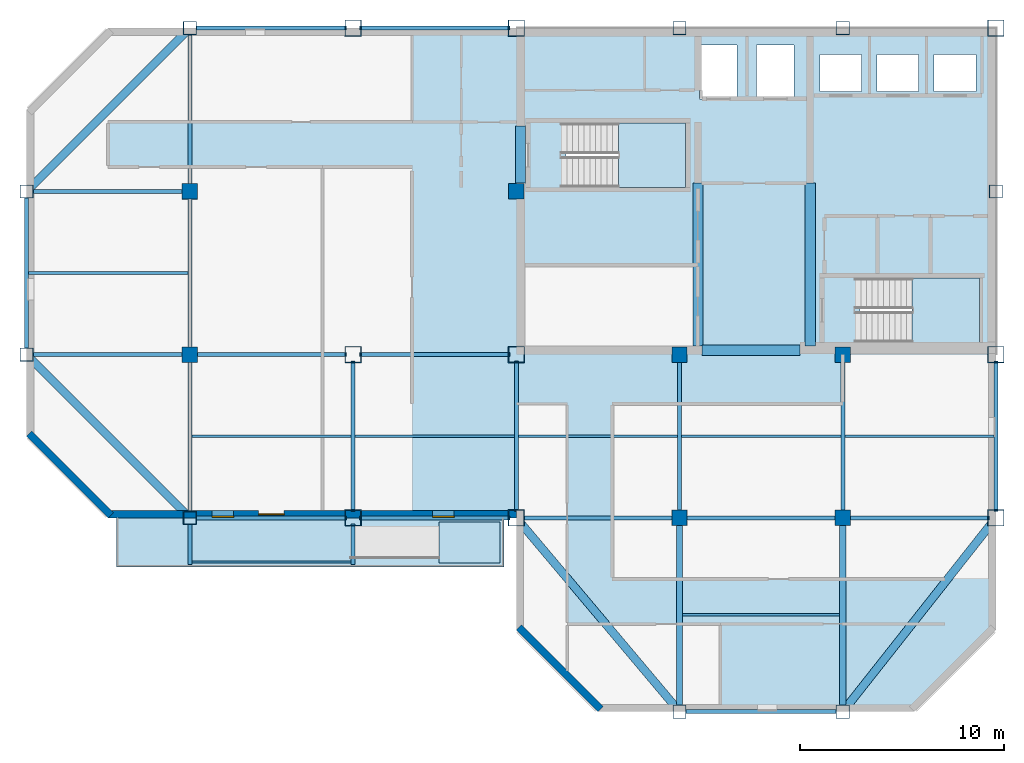
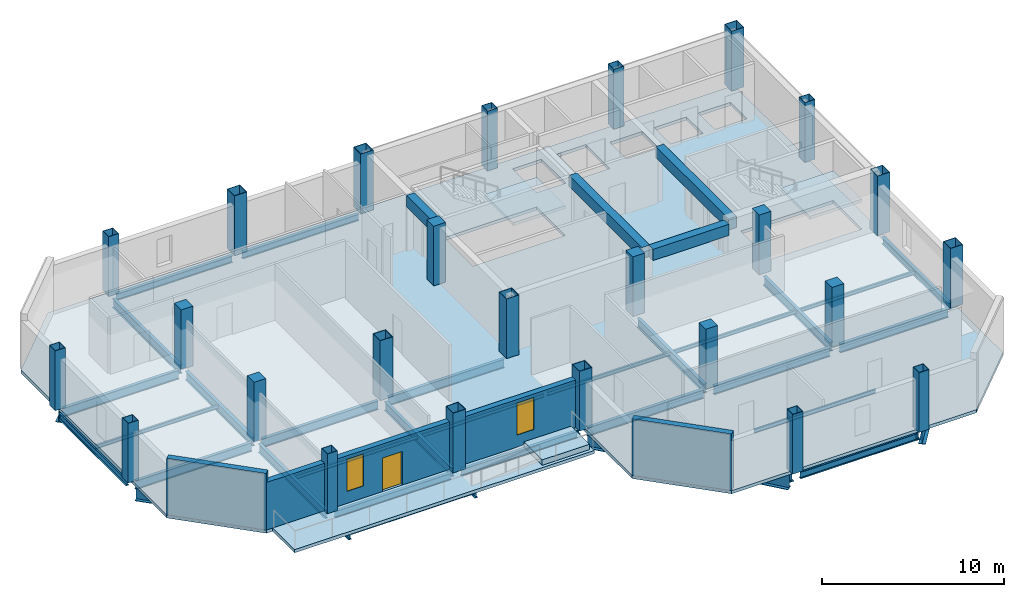
# One storey, part 1 of 7: 41 beams, 25 columns, 5 slabs, 3 walls, 2 windows, 1 door, 3 openings, 3 elements without a shape of their own.
"""IFC4 building model written with IfcOpenShell, lengths in metres."""

from ifc_helpers import new_model, si_unit, direction, frame, frame_2d, origin, origin_2d, place, context, subcontext, project, spatial, polyline, rectangle, hollow_rectangle, i_section, outline, extrude, material, layer, layer_set, material_profile, profile_set, type_object, element, fill, aggregate, save


model = new_model("IFC4")

# Units and contexts
model_context = context("Model", 3, precision=1e-05, world=origin(), true_north=direction((0.0, 1.0)))
body_context = subcontext(model_context, "Body", "Model", "MODEL_VIEW")
ifc_project = project(units=[si_unit("LENGTHUNIT", "METRE"), si_unit("AREAUNIT", "SQUARE_METRE"), si_unit("VOLUMEUNIT", "CUBIC_METRE"), si_unit("PLANEANGLEUNIT", "RADIAN"), si_unit("MASSUNIT", "GRAM", prefix="KILO")], contexts=[model_context])

# Site, building, storey
site_placement = place(None, origin())
site = spatial("IfcSite", under=ifc_project, at=site_placement, CompositionType="ELEMENT")
building_placement = place(site_placement, origin())
building = spatial("IfcBuilding", under=site, at=building_placement, Name="Qianrong Seaharbour Tower", CompositionType="ELEMENT")
storey_placement = place(building_placement, frame((0.0, 0.0, 323.199951171875)))
storey = spatial("IfcBuildingStorey", under=building, at=storey_placement, Name="L78", CompositionType="ELEMENT", Elevation=323.199951171875)

# Columns
ifc_material_1 = material(Name="Structural steel SN490B", Category="steel")
ifc_material_profile_1 = material_profile(ifc_material_1, hollow_rectangle(XDim=0.800048828125, YDim=0.800048828125, WallThickness=0.031982421875, at=origin_2d()), Name="BOX800x800x32")
ifc_profile_set_1 = profile_set([ifc_material_profile_1], Name="Structural steel SN490B")
column_type_1 = type_object("IfcColumnType", Name="COL-CFT-800", PredefinedType="COLUMN", material=ifc_profile_set_1)
for number, where, z_axis, x_axis, name in (
    (1, (32.5, 28.0, 0.0), (0.0, 0.0, 1.0), (1.0, 0.0, 0.0), "L78 Column MC-5 at G5/GE"),
    (2, (32.5, 36.0, 0.0), (0.0, 0.0, 1.0), (1.0, 0.0, 0.0), "L78 Column MC-5 at G5/GF"),
    (3, (32.5, 52.0, 0.0), (0.0, 0.0, 1.0), (1.0, 0.0, 0.0), "L78 Column MC-5 at G5/GH"),
    (4, (40.5, 28.0, 0.0), (0.0, 0.0, 1.0), (1.0, 0.0, 0.0), "L78 Column MC-5 at G6/GE"),
    (5, (40.5, 36.0, 0.0), (0.0, 0.0, 1.0), (1.0, 0.0, 0.0), "L78 Column MC-5 at G6/GF"),
    (6, (40.5, 52.0, 0.0), (0.0, 0.0, 1.0), (1.0, 0.0, 0.0), "L78 Column MC-5 at G6/GH"),
    (7, (64.0, 28.0, 0.0), (0.0, 0.0, 1.0), (1.0, 0.0, 0.0), "L78 Column MC-5 at G9/GE"),
    (8, (64.0, 36.0, 0.0), (0.0, 0.0, 1.0), (1.0, 0.0, 0.0), "L78 Column MC-5 at G9/GF"),
    (9, (64.0, 52.0, 0.0), (0.0, 0.0, 1.0), (1.0, 0.0, 0.0), "L78 Column MC-5 at G9/GH"),
):
    element("IfcColumn", number, at=place(storey_placement, frame(where, z_axis=z_axis, x_axis=x_axis)), inside=storey, type_object=column_type_1, Name=name, PredefinedType="COLUMN", context=body_context, shape_type="SweptSolid", body=[
        extrude(hollow_rectangle(XDim=0.800048828125, YDim=0.800048828125, WallThickness=0.031982421875, at=origin_2d()), origin(), (0.0, 0.0, 1.0), 4.0),
    ])
ifc_material_2 = material(Name="Concrete C50/60", Category="concrete")
ifc_material_profile_2 = material_profile(ifc_material_2, rectangle(XDim=0.75, YDim=0.75, at=origin_2d()), Name="RC750x750")
ifc_profile_set_2 = profile_set([ifc_material_profile_2], Name="Concrete C50/60")
column_type_2 = type_object("IfcColumnType", Name="COL-INT-RC750", PredefinedType="COLUMN", material=ifc_profile_set_2)
for number, where, z_axis, x_axis, name in (
    (10, (24.5, 36.0, 0.0), (0.0, 0.0, 1.0), (1.0, 0.0, 0.0), "L78 Column IC-4 at G4/GF"),
    (11, (24.5, 44.0, 0.0), (0.0, 0.0, 1.0), (1.0, 0.0, 0.0), "L78 Column IC-4 at G4/GG"),
    (12, (40.5, 44.0, 0.0), (0.0, 0.0, 1.0), (1.0, 0.0, 0.0), "L78 Column IC-4 at G6/GG"),
    (13, (48.5, 28.0, 0.0), (0.0, 0.0, 1.0), (1.0, 0.0, 0.0), "L78 Column IC-4 at G7/GE"),
    (14, (48.5, 36.0, 0.0), (0.0, 0.0, 1.0), (1.0, 0.0, 0.0), "L78 Column IC-4 at G7/GF"),
    (15, (56.5, 28.0, 0.0), (0.0, 0.0, 1.0), (1.0, 0.0, 0.0), "L78 Column IC-4 at G8/GE"),
    (16, (56.5, 36.0, 0.0), (0.0, 0.0, 1.0), (1.0, 0.0, 0.0), "L78 Column IC-4 at G8/GF"),
):
    element("IfcColumn", number, at=place(storey_placement, frame(where, z_axis=z_axis, x_axis=x_axis)), inside=storey, type_object=column_type_2, Name=name, PredefinedType="COLUMN", context=body_context, shape_type="SweptSolid", body=[
        extrude(rectangle(XDim=0.75, YDim=0.75, at=origin_2d()), origin(), (0.0, 0.0, 1.0), 4.0),
    ])
ifc_material_3 = material(Name="Structural steel SN400B", Category="steel")
ifc_material_profile_3 = material_profile(ifc_material_3, hollow_rectangle(XDim=0.64990234375, YDim=0.64990234375, WallThickness=0.028076171875, at=origin_2d()), Name="BOX650x650x28")
ifc_profile_set_3 = profile_set([ifc_material_profile_3], Name="Structural steel SN400B")
column_type_3 = type_object("IfcColumnType", Name="COL-PER-650", PredefinedType="COLUMN", material=ifc_profile_set_3)
for number, where, z_axis, x_axis, name in (
    (17, (16.5, 36.0, 0.0), (0.0, 0.0, 1.0), (1.0, 0.0, 0.0), "L78 Column PC-4 at G3/GF"),
    (18, (16.5, 44.0, 0.0), (0.0, 0.0, 1.0), (1.0, 0.0, 0.0), "L78 Column PC-4 at G3/GG"),
    (19, (24.5, 28.0, 0.0), (0.0, 0.0, 1.0), (1.0, 0.0, 0.0), "L78 Column PC-4 at G4/GE"),
    (20, (24.5, 52.0, 0.0), (0.0, 0.0, 1.0), (1.0, 0.0, 0.0), "L78 Column PC-4 at G4/GH"),
    (21, (48.5, 18.5, 0.0), (0.0, 0.0, 1.0), (1.0, 0.0, 0.0), "L78 Column PC-4 at G7/GD"),
    (22, (48.5, 52.0, 0.0), (0.0, 0.0, 1.0), (1.0, 0.0, 0.0), "L78 Column PC-4 at G7/GH"),
    (23, (56.5, 18.5, 0.0), (0.0, 0.0, 1.0), (1.0, 0.0, 0.0), "L78 Column PC-4 at G8/GD"),
    (24, (56.5, 52.0, 0.0), (0.0, 0.0, 1.0), (1.0, 0.0, 0.0), "L78 Column PC-4 at G8/GH"),
    (25, (64.0, 44.0, 0.0), (0.0, 0.0, 1.0), (1.0, 0.0, 0.0), "L78 Column PC-4 at G9/GG"),
):
    element("IfcColumn", number, at=place(storey_placement, frame(where, z_axis=z_axis, x_axis=x_axis)), inside=storey, type_object=column_type_3, Name=name, PredefinedType="COLUMN", context=body_context, shape_type="SweptSolid", body=[
        extrude(hollow_rectangle(XDim=0.64990234375, YDim=0.64990234375, WallThickness=0.028076171875, at=origin_2d()), origin(), (0.0, 0.0, 1.0), 4.0),
    ])

# Beams
ifc_material_profile_4 = material_profile(ifc_material_1, i_section(OverallWidth=0.199951171875, OverallDepth=0.60009765625, WebThickness=0.010986328125, FlangeThickness=0.01708984375, FilletRadius=0.02197265625, at=origin_2d()), Name="H600x200x11x17")
ifc_profile_set_4 = profile_set([ifc_material_profile_4], Name="Structural steel SN490B")
beam_type_1 = type_object("IfcBeamType", Name="BM-G-600", PredefinedType="BEAM", material=ifc_profile_set_4)
for number, where, z_axis, x_axis, name in (
    (26, (40.820068359375, 28.0, -0.514892578125), (1.0, 0.0, 0.0), (0.0, 1.0, 0.0), "L78 Primary Girder GE G6-G7"),
    (27, (48.820068359375, 28.0, -0.514892578125), (1.0, 0.0, 0.0), (0.0, 1.0, 0.0), "L78 Primary Girder GE G7-G8"),
):
    element("IfcBeam", number, at=place(storey_placement, frame(where, z_axis=z_axis, x_axis=x_axis)), inside=storey, type_object=beam_type_1, Name=name, PredefinedType="BEAM", context=body_context, shape_type="SweptSolid", body=[
        extrude(i_section(OverallWidth=0.199951171875, OverallDepth=0.60009765625, WebThickness=0.010986328125, FlangeThickness=0.01708984375, FilletRadius=0.02197265625, at=origin_2d()), origin(), (0.0, 0.0, 1.0), 7.35986328125),
    ])
beam_1_placement = place(storey_placement, frame((56.820068359375, 28.0, -0.514892578125), z_axis=(1.0, 0.0, 0.0), x_axis=(0.0, 1.0, 0.0)))
element("IfcBeam", 28, at=beam_1_placement, inside=storey, type_object=beam_type_1, Name="L78 Primary Girder GE G8-G9", PredefinedType="BEAM", context=body_context, shape_type="SweptSolid", body=[
    extrude(i_section(OverallWidth=0.199951171875, OverallDepth=0.60009765625, WebThickness=0.010986328125, FlangeThickness=0.01708984375, FilletRadius=0.02197265625, at=origin_2d()), origin(), (0.0, 0.0, 1.0), 6.85986328125),
])
for number, where, z_axis, x_axis, name in (
    (29, (16.820068359375, 36.0, -0.514892578125), (1.0, 0.0, 0.0), (0.0, 1.0, 0.0), "L78 Primary Girder GF G3-G4"),
    (30, (24.820068359375, 36.0, -0.514892578125), (1.0, 0.0, 0.0), (0.0, 1.0, 0.0), "L78 Primary Girder GF G4-G5"),
    (31, (32.820068359375, 36.0, -0.514892578125), (1.0, 0.0, 0.0), (0.0, 1.0, 0.0), "L78 Primary Girder GF G5-G6"),
    (32, (16.820068359375, 44.0, -0.514892578125), (1.0, 0.0, 0.0), (0.0, 1.0, 0.0), "L78 Primary Girder GG G3-G4"),
    (33, (24.5, 28.320068359375, -0.514892578125), (0.0, 1.0, 0.0), (-1.0, 0.0, 0.0), "L78 Primary Girder G4 GE-GF"),
    (34, (24.5, 36.320068359375, -0.514892578125), (0.0, 1.0, 0.0), (-1.0, 0.0, 0.0), "L78 Primary Girder G4 GF-GG"),
    (35, (24.5, 44.320068359375, -0.514892578125), (0.0, 1.0, 0.0), (-1.0, 0.0, 0.0), "L78 Primary Girder G4 GG-GH"),
    (36, (32.5, 28.320068359375, -0.514892578125), (0.0, 1.0, 0.0), (-1.0, 0.0, 0.0), "L78 Primary Girder G5 GE-GF"),
    (37, (40.5, 28.320068359375, -0.514892578125), (0.0, 1.0, 0.0), (-1.0, 0.0, 0.0), "L78 Primary Girder G6 GE-GF"),
    (38, (48.5, 28.320068359375, -0.514892578125), (0.0, 1.0, 0.0), (-1.0, 0.0, 0.0), "L78 Primary Girder G7 GE-GF"),
    (39, (56.5, 28.320068359375, -0.514892578125), (0.0, 1.0, 0.0), (-1.0, 0.0, 0.0), "L78 Primary Girder G8 GE-GF"),
):
    element("IfcBeam", number, at=place(storey_placement, frame(where, z_axis=z_axis, x_axis=x_axis)), inside=storey, type_object=beam_type_1, Name=name, PredefinedType="BEAM", context=body_context, shape_type="SweptSolid", body=[
        extrude(i_section(OverallWidth=0.199951171875, OverallDepth=0.60009765625, WebThickness=0.010986328125, FlangeThickness=0.01708984375, FilletRadius=0.02197265625, at=origin_2d()), origin(), (0.0, 0.0, 1.0), 7.35986328125),
    ])
ifc_material_profile_5 = material_profile(ifc_material_1, i_section(OverallWidth=0.300048828125, OverallDepth=0.800048828125, WebThickness=0.013916015625, FlangeThickness=0.02587890625, FilletRadius=0.028076171875, at=origin_2d()), Name="H800x300x14x26")
ifc_profile_set_5 = profile_set([ifc_material_profile_5], Name="Structural steel SN490B")
beam_type_2 = type_object("IfcBeamType", Name="BM-G-800", PredefinedType="BEAM", material=ifc_profile_set_5)
for number, where, z_axis, x_axis, name in (
    (40, (48.5, 18.820068359375, -0.614990234375), (0.0, 1.0, 0.0), (-1.0, 0.0, 0.0), "L78 Primary Girder G7 GD-GE"),
    (41, (56.5, 18.820068359375, -0.614990234375), (0.0, 1.0, 0.0), (-1.0, 0.0, 0.0), "L78 Primary Girder G8 GD-GE"),
):
    element("IfcBeam", number, at=place(storey_placement, frame(where, z_axis=z_axis, x_axis=x_axis)), inside=storey, type_object=beam_type_2, Name=name, PredefinedType="BEAM", context=body_context, shape_type="SweptSolid", body=[
        extrude(i_section(OverallWidth=0.300048828125, OverallDepth=0.800048828125, WebThickness=0.013916015625, FlangeThickness=0.02587890625, FilletRadius=0.028076171875, at=origin_2d()), origin(), (0.0, 0.0, 1.0), 8.85986328125),
    ])
ifc_material_profile_6 = material_profile(ifc_material_3, i_section(OverallWidth=0.125, OverallDepth=0.25, WebThickness=0.006103515625, FlangeThickness=0.009033203125, FilletRadius=0.011962890625, at=origin_2d()), Name="H250x125x6x9")
ifc_profile_set_6 = profile_set([ifc_material_profile_6], Name="Structural steel SN400B")
beam_type_3 = type_object("IfcBeamType", Name="BM-J-250", PredefinedType="JOIST", material=ifc_profile_set_6)
for number, where, z_axis, x_axis, name in (
    (42, (16.60009765625, 40.0, -0.33984375), (1.0, 0.0, 0.0), (0.0, 1.0, 0.0), "L78 Composite Floor Joist G3-G4/GF-GG"),
    (43, (24.60009765625, 32.0, -0.33984375), (1.0, 0.0, 0.0), (0.0, 1.0, 0.0), "L78 Composite Floor Joist G4-G5/GE-GF"),
    (44, (32.60009765625, 32.0, -0.33984375), (1.0, 0.0, 0.0), (0.0, 1.0, 0.0), "L78 Composite Floor Joist G5-G6/GE-GF"),
    (45, (40.60009765625, 32.0, -0.33984375), (1.0, 0.0, 0.0), (0.0, 1.0, 0.0), "L78 Composite Floor Joist G6-G7/GE-GF"),
):
    element("IfcBeam", number, at=place(storey_placement, frame(where, z_axis=z_axis, x_axis=x_axis)), inside=storey, type_object=beam_type_3, Name=name, PredefinedType="JOIST", context=body_context, shape_type="SweptSolid", body=[
        extrude(i_section(OverallWidth=0.125, OverallDepth=0.25, WebThickness=0.006103515625, FlangeThickness=0.009033203125, FilletRadius=0.011962890625, at=origin_2d()), origin(), (0.0, 0.0, 1.0), 7.7998046875),
    ])
beam_2_placement = place(storey_placement, frame((48.64990234375, 23.25, -0.33984375), z_axis=(1.0, 0.0, 0.0), x_axis=(0.0, 1.0, 0.0)))
element("IfcBeam", 46, at=beam_2_placement, inside=storey, type_object=beam_type_3, Name="L78 Composite Floor Joist G7-G8/GD-GE", PredefinedType="JOIST", context=body_context, shape_type="SweptSolid", body=[
    extrude(i_section(OverallWidth=0.125, OverallDepth=0.25, WebThickness=0.006103515625, FlangeThickness=0.009033203125, FilletRadius=0.011962890625, at=origin_2d()), origin(), (0.0, 0.0, 1.0), 7.7001953125),
])
beam_3_placement = place(storey_placement, frame((48.60009765625, 32.0, -0.33984375), z_axis=(1.0, 0.0, 0.0), x_axis=(0.0, 1.0, 0.0)))
element("IfcBeam", 47, at=beam_3_placement, inside=storey, type_object=beam_type_3, Name="L78 Composite Floor Joist G7-G8/GE-GF", PredefinedType="JOIST", context=body_context, shape_type="SweptSolid", body=[
    extrude(i_section(OverallWidth=0.125, OverallDepth=0.25, WebThickness=0.006103515625, FlangeThickness=0.009033203125, FilletRadius=0.011962890625, at=origin_2d()), origin(), (0.0, 0.0, 1.0), 7.7998046875),
])
beam_4_placement = place(storey_placement, frame((56.60009765625, 32.0, -0.33984375), z_axis=(1.0, 0.0, 0.0), x_axis=(0.0, 1.0, 0.0)))
element("IfcBeam", 48, at=beam_4_placement, inside=storey, type_object=beam_type_3, Name="L78 Composite Floor Joist G8-G9/GE-GF", PredefinedType="JOIST", context=body_context, shape_type="SweptSolid", body=[
    extrude(i_section(OverallWidth=0.125, OverallDepth=0.25, WebThickness=0.006103515625, FlangeThickness=0.009033203125, FilletRadius=0.011962890625, at=origin_2d()), origin(), (0.0, 0.0, 1.0), 7.2998046875),
])
ifc_material_4 = material(Name="Concrete C60/75", Category="concrete")
ifc_material_profile_7 = material_profile(ifc_material_4, rectangle(XDim=0.5, YDim=0.75, at=origin_2d()), Name="RC500x750")
ifc_profile_set_7 = profile_set([ifc_material_profile_7], Name="Concrete C60/75")
beam_type_4 = type_object("IfcBeamType", Name="BM-LINTEL-750", PredefinedType="LINTEL", material=ifc_profile_set_7)
beam_5_placement = place(storey_placement, frame((40.7099609375, 44.39990234375, 3.41015625), z_axis=(0.0, 1.0, 0.0), x_axis=(-1.0, 0.0, 0.0)))
element("IfcBeam", 49, at=beam_5_placement, inside=storey, type_object=beam_type_4, Name="L78 Core Coupling Lintel Beam West", PredefinedType="LINTEL", context=body_context, shape_type="SweptSolid", body=[
    extrude(rectangle(XDim=0.5, YDim=0.75, at=origin_2d()), origin(), (0.0, 0.0, 1.0), 2.800048828125),
])
beam_6_placement = place(storey_placement, frame((49.60009765625, 36.2099609375, 3.41015625), z_axis=(1.0, 0.0, 0.0), x_axis=(0.0, 1.0, 0.0)))
element("IfcBeam", 50, at=beam_6_placement, inside=storey, type_object=beam_type_4, Name="L78 Core Coupling Lintel Beam CBC", PredefinedType="LINTEL", context=body_context, shape_type="SweptSolid", body=[
    extrude(rectangle(XDim=0.5, YDim=0.75, at=origin_2d()), origin(), (0.0, 0.0, 1.0), 4.7998046875),
])
for number, where, z_axis, x_axis, name in (
    (51, (49.39990234375, 36.419921875, 3.41015625), (0.0, 1.0, 0.0), (-1.0, 0.0, 0.0), "L78 Internal Core Coupling Beam IW1"),
    (52, (54.89990234375, 36.419921875, 3.41015625), (0.0, 1.0, 0.0), (-1.0, 0.0, 0.0), "L78 Internal Core Coupling Beam IW2"),
):
    element("IfcBeam", number, at=place(storey_placement, frame(where, z_axis=z_axis, x_axis=x_axis)), inside=storey, type_object=beam_type_4, Name=name, PredefinedType="LINTEL", context=body_context, shape_type="SweptSolid", body=[
        extrude(rectangle(XDim=0.5, YDim=0.75, at=origin_2d()), origin(), (0.0, 0.0, 1.0), 7.97998046875),
    ])
ifc_material_profile_8 = material_profile(ifc_material_3, i_section(OverallWidth=0.10009765625, OverallDepth=0.199951171875, WebThickness=0.005615234375, FlangeThickness=0.008056640625, FilletRadius=0.010986328125, at=origin_2d()), Name="H200x100x5.5x8")
ifc_profile_set_8 = profile_set([ifc_material_profile_8], Name="Structural steel SN400B")
beam_type_5 = type_object("IfcBeamType", Name="BM-PURLIN-200", PredefinedType="JOIST", material=ifc_profile_set_8)
beam_7_placement = place(storey_placement, frame((24.60009765625, 25.840087890625, -0.31494140625), z_axis=(1.0, 0.0, 0.0), x_axis=(0.0, 1.0, 0.0)))
element("IfcBeam", 53, at=beam_7_placement, inside=storey, type_object=beam_type_5, Name="L78 Harbourfront Ribbon Edge Beam G5", PredefinedType="JOIST", context=body_context, shape_type="SweptSolid", body=[
    extrude(i_section(OverallWidth=0.10009765625, OverallDepth=0.199951171875, WebThickness=0.005615234375, FlangeThickness=0.008056640625, FilletRadius=0.010986328125, at=origin_2d()), origin(), (0.0, 0.0, 1.0), 7.7998046875),
])
ifc_material_profile_9 = material_profile(ifc_material_1, i_section(OverallWidth=0.199951171875, OverallDepth=0.449951171875, WebThickness=0.009033203125, FlangeThickness=0.013916015625, FilletRadius=0.01806640625, at=origin_2d()), Name="H450x200x9x14")
ifc_profile_set_9 = profile_set([ifc_material_profile_9], Name="Structural steel SN490B")
beam_type_6 = type_object("IfcBeamType", Name="BM-RIB-450", PredefinedType="BEAM", material=ifc_profile_set_9)
for number, where, z_axis, x_axis, name in (
    (54, (24.5, 27.699951171875, -0.43994140625), (0.0, -1.0, 0.0), (1.0, 0.0, 0.0), "L78 Harbourfront Ribbon Cantilever Bracket G4"),
    (55, (32.5, 27.699951171875, -0.43994140625), (0.0, -1.0, 0.0), (1.0, 0.0, 0.0), "L78 Harbourfront Ribbon Cantilever Bracket G5"),
):
    element("IfcBeam", number, at=place(storey_placement, frame(where, z_axis=z_axis, x_axis=x_axis)), inside=storey, type_object=beam_type_6, Name=name, PredefinedType="BEAM", context=body_context, shape_type="SweptSolid", body=[
        extrude(i_section(OverallWidth=0.199951171875, OverallDepth=0.449951171875, WebThickness=0.009033203125, FlangeThickness=0.013916015625, FilletRadius=0.01806640625, at=origin_2d()), origin(), (0.0, 0.0, 1.0), 1.97998046875),
    ])
ifc_material_profile_10 = material_profile(ifc_material_3, i_section(OverallWidth=0.199951171875, OverallDepth=0.449951171875, WebThickness=0.009033203125, FlangeThickness=0.013916015625, FilletRadius=0.01806640625, at=origin_2d()), Name="H450x200x9x14")
ifc_profile_set_10 = profile_set([ifc_material_profile_10], Name="Structural steel SN400B")
beam_type_7 = type_object("IfcBeamType", Name="BM-SP-450", PredefinedType="SPANDREL", material=ifc_profile_set_10)
for number, where, z_axis, x_axis, name in (
    (56, (48.820068359375, 18.5, -0.43994140625), (1.0, 0.0, 0.0), (0.0, 1.0, 0.0), "L78 Spandrel Girder GD G7-G8"),
    (57, (24.820068359375, 28.0, -0.43994140625), (1.0, 0.0, 0.0), (0.0, 1.0, 0.0), "L78 Spandrel Girder GE G4-G5"),
    (58, (32.820068359375, 28.0, -0.43994140625), (1.0, 0.0, 0.0), (0.0, 1.0, 0.0), "L78 Spandrel Girder GE G5-G6"),
    (59, (24.820068359375, 52.0, -0.43994140625), (1.0, 0.0, 0.0), (0.0, 1.0, 0.0), "L78 Spandrel Girder GH G4-G5"),
    (60, (32.820068359375, 52.0, -0.43994140625), (1.0, 0.0, 0.0), (0.0, 1.0, 0.0), "L78 Spandrel Girder GH G5-G6"),
    (61, (16.5, 36.320068359375, -0.43994140625), (0.0, 1.0, 0.0), (-1.0, 0.0, 0.0), "L78 Spandrel Girder G3 GF-GG"),
    (62, (64.0, 28.320068359375, -0.43994140625), (0.0, 1.0, 0.0), (-1.0, 0.0, 0.0), "L78 Spandrel Girder G9 GE-GF"),
):
    element("IfcBeam", number, at=place(storey_placement, frame(where, z_axis=z_axis, x_axis=x_axis)), inside=storey, type_object=beam_type_7, Name=name, PredefinedType="SPANDREL", context=body_context, shape_type="SweptSolid", body=[
        extrude(i_section(OverallWidth=0.199951171875, OverallDepth=0.449951171875, WebThickness=0.009033203125, FlangeThickness=0.013916015625, FilletRadius=0.01806640625, at=origin_2d()), origin(), (0.0, 0.0, 1.0), 7.35986328125),
    ])
ifc_material_profile_11 = material_profile(ifc_material_1, i_section(OverallWidth=0.39990234375, OverallDepth=1.10009765625, WebThickness=0.02001953125, FlangeThickness=0.035888671875, at=origin_2d()), Name="BH1100x400x20x36")
ifc_profile_set_11 = profile_set([ifc_material_profile_11], Name="Structural steel SN490B")
beam_type_8 = type_object("IfcBeamType", Name="BM-TG-1100", PredefinedType="BEAM", material=ifc_profile_set_11)
for number, where, z_axis, x_axis, name in (
    (63, (24.273681640625, 28.226318359375, -0.764892578125), (-0.707106781187, 0.707106781187, 0.0), (-0.707106781187, -0.707106781187, 0.0), "L78 Chamfer Corner Spandrel Girder G3/GE"),
    (64, (24.273681640625, 51.773681640625, -0.764892578125), (-0.707106781187, -0.707106781187, 0.0), (0.707106781187, -0.707106781187, 0.0), "L78 Chamfer Corner Spandrel Girder G3/GH"),
):
    element("IfcBeam", number, at=place(storey_placement, frame(where, z_axis=z_axis, x_axis=x_axis)), inside=storey, type_object=beam_type_8, Name=name, PredefinedType="BEAM", context=body_context, shape_type="SweptSolid", body=[
        extrude(i_section(OverallWidth=0.39990234375, OverallDepth=1.10009765625, WebThickness=0.02001953125, FlangeThickness=0.035888671875, at=origin_2d()), origin(), (0.0, 0.0, 1.0), 10.673583984375),
    ])
beam_8_placement = place(storey_placement, frame((48.2939453125, 18.744873046875, -0.764892578125), z_axis=(-0.644151063101, 0.764898299061, 0.0), x_axis=(-0.764898299061, -0.644151063101, 0.0)))
element("IfcBeam", 65, at=beam_8_placement, inside=storey, type_object=beam_type_8, Name="L78 Chamfer Corner Spandrel Girder G6/GD", PredefinedType="BEAM", context=body_context, shape_type="SweptSolid", body=[
    extrude(i_section(OverallWidth=0.39990234375, OverallDepth=1.10009765625, WebThickness=0.02001953125, FlangeThickness=0.035888671875, at=origin_2d()), origin(), (0.0, 0.0, 1.0), 11.77978515625),
])
beam_9_placement = place(storey_placement, frame((56.6982421875, 18.751220703125, -0.764892578125), z_axis=(0.619653955715, 0.784875133487, 0.0), x_axis=(-0.784875133487, 0.619653955715, 0.0)))
element("IfcBeam", 66, at=beam_9_placement, inside=storey, type_object=beam_type_8, Name="L78 Chamfer Corner Spandrel Girder G9/GD", PredefinedType="BEAM", context=body_context, shape_type="SweptSolid", body=[
    extrude(i_section(OverallWidth=0.39990234375, OverallDepth=1.10009765625, WebThickness=0.02001953125, FlangeThickness=0.035888671875, at=origin_2d()), origin(), (0.0, 0.0, 1.0), 11.463623046875),
])

# Ramp, slab
ifc_material_5 = material(Name="White architectural precast concrete C45/55", Category="concrete")
ramp_type = type_object("IfcRampType", Name="RAMP-RIBBON-GARDEN", PredefinedType="STRAIGHT_RUN_RAMP", material=ifc_material_5)
ramp_placement = place(storey_placement, origin())
ramp = element("IfcRamp", 67, at=ramp_placement, inside=storey, type_object=ramp_type, Name="L78 Harbourfront Garden Ribbon Ramp", PredefinedType="STRAIGHT_RUN_RAMP")
ifc_layer_1 = layer(ifc_material_5, 0.360107421875)
ifc_layer_set_1 = layer_set([ifc_layer_1], Name="White architectural precast concrete C45/55")
slab_type_1 = type_object("IfcSlabType", Name="SLAB-RAMP-LANDING-220", PredefinedType="LANDING", material=ifc_layer_set_1)
slab_1_placement = place(storey_placement, origin())
slab_1 = element("IfcSlab", 68, at=slab_1_placement, type_object=slab_type_1, Name="L78 Harbourfront Ribbon Raised Garden Landing", PredefinedType="LANDING", context=body_context, shape_type="SweptSolid", body=[
    extrude(outline(polyline([(36.699951171875, 25.800048828125), (39.699951171875, 25.800048828125), (39.699951171875, 27.800048828125), (36.699951171875, 27.800048828125), (36.699951171875, 25.800048828125)])), origin(), (0.0, 0.0, 1.0), 0.360107421875),
])
aggregate(ramp, [slab_1])

# Slab
ifc_layer_2 = layer(ifc_material_5, 0.215087890625)
ifc_layer_set_2 = layer_set([ifc_layer_2], Name="White architectural precast concrete C45/55")
slab_type_2 = type_object("IfcSlabType", Name="SLAB-RIBBON-215", PredefinedType="FLOOR", material=ifc_layer_set_2)
slab_2_placement = place(storey_placement, frame((0.0, 0.0, -0.21484375)))
element("IfcSlab", 69, at=slab_2_placement, inside=storey, type_object=slab_type_2, Name="L78 Harbourfront White Precast Ribbon Gallery Slab", PredefinedType="FLOOR", context=body_context, shape_type="SweptSolid", body=[
    extrude(outline(polyline([(20.89990234375, 25.60009765625), (39.89990234375, 25.60009765625), (39.89990234375, 28.0), (20.89990234375, 28.0), (20.89990234375, 25.60009765625)])), origin(), (0.0, 0.0, 1.0), 0.21484375),
])

# Stair, slab
stair_type = type_object("IfcStairType", Name="STAIR-DOGLEG-1500-R22", PredefinedType="HALF_TURN_STAIR", material=ifc_material_2)
stair_1_placement = place(storey_placement, origin())
stair_1 = element("IfcStair", 70, at=stair_1_placement, inside=storey, type_object=stair_type, Name="L78 Protected Escape Stair ST-1", PredefinedType="HALF_TURN_STAIR")
ifc_layer_3 = layer(ifc_material_2, 0.199951171875)
ifc_layer_set_3 = layer_set([ifc_layer_3], Name="Concrete C50/60")
slab_type_3 = type_object("IfcSlabType", Name="SLAB-STAIR-LANDING-200", PredefinedType="LANDING", material=ifc_layer_set_3)
slab_3_placement = place(storey_placement, frame((0.0, 0.0, 1.800048828125)))
slab_3 = element("IfcSlab", 71, at=slab_3_placement, type_object=slab_type_3, Name="ST-1 landing 1", PredefinedType="LANDING", context=body_context, shape_type="SweptSolid", body=[
    extrude(outline(polyline([(45.5, 44.199951171875), (48.800048828125, 44.199951171875), (48.800048828125, 47.35009765625), (45.5, 47.35009765625), (45.5, 44.199951171875)])), origin(), (0.0, 0.0, 1.0), 0.199951171875),
])
aggregate(stair_1, [slab_3])

stair_2_placement = place(storey_placement, origin())
stair_2 = element("IfcStair", 72, at=stair_2_placement, inside=storey, type_object=stair_type, Name="L78 Protected Escape Stair ST-2", PredefinedType="HALF_TURN_STAIR")
slab_4_placement = place(storey_placement, frame((0.0, 0.0, 1.800048828125)))
slab_4 = element("IfcSlab", 73, at=slab_4_placement, type_object=slab_type_3, Name="ST-2 landing 1", PredefinedType="LANDING", context=body_context, shape_type="SweptSolid", body=[
    extrude(outline(polyline([(59.89990234375, 36.60009765625), (63.199951171875, 36.60009765625), (63.199951171875, 39.75), (59.89990234375, 39.75), (59.89990234375, 36.60009765625)])), origin(), (0.0, 0.0, 1.0), 0.199951171875),
])
aggregate(stair_2, [slab_4])

# Slab
ifc_layer_4 = layer(ifc_material_2, 0.215087890625)
ifc_layer_set_4 = layer_set([ifc_layer_4], Name="Concrete C50/60")
slab_type_4 = type_object("IfcSlabType", Name="SLAB-Z4-215", PredefinedType="FLOOR", material=ifc_layer_set_4)
slab_5_placement = place(storey_placement, frame((0.0, 0.0, -0.21484375)))
element("IfcSlab", 74, at=slab_5_placement, inside=storey, type_object=slab_type_4, Name="L78 Structural Floor Slab", PredefinedType="FLOOR", context=body_context, shape_type="SweptSolid", body=[
    extrude(outline(polyline([(44.5, 18.5), (60.0, 18.5), (64.0, 22.5), (64.0, 52.0), (20.5, 52.0), (16.5, 48.0), (16.5, 32.0), (20.5, 28.0), (40.5, 28.0), (40.5, 22.5), (44.5, 18.5)]), holes=[polyline([(42.93994140625, 44.199951171875), (42.93994140625, 47.35009765625), (48.800048828125, 47.35009765625), (48.800048828125, 44.199951171875), (42.93994140625, 44.199951171875)]), polyline([(57.340087890625, 36.60009765625), (57.340087890625, 39.75), (63.199951171875, 39.75), (63.199951171875, 36.60009765625), (57.340087890625, 36.60009765625)]), polyline([(49.47998046875, 48.530029296875), (49.47998046875, 51.169921875), (51.320068359375, 51.169921875), (51.320068359375, 48.530029296875), (49.47998046875, 48.530029296875)]), polyline([(52.280029296875, 48.530029296875), (52.280029296875, 51.169921875), (54.1201171875, 51.169921875), (54.1201171875, 48.530029296875), (52.280029296875, 48.530029296875)]), polyline([(55.3798828125, 48.89990234375), (55.3798828125, 50.699951171875), (57.419921875, 50.699951171875), (57.419921875, 48.89990234375), (55.3798828125, 48.89990234375)]), polyline([(58.179931640625, 48.89990234375), (58.179931640625, 50.699951171875), (60.219970703125, 50.699951171875), (60.219970703125, 48.89990234375), (58.179931640625, 48.89990234375)]), polyline([(60.97998046875, 48.89990234375), (60.97998046875, 50.699951171875), (63.02001953125, 50.699951171875), (63.02001953125, 48.89990234375), (60.97998046875, 48.89990234375)])]), origin(), (0.0, 0.0, 1.0), 0.21484375),
])

# Wall, openings, door, windows
ifc_material_6 = material(Name="Unitised red brick on Precast concrete C45/55", Category="masonry")
ifc_layer_5 = layer(ifc_material_6, 0.360107421875)
ifc_layer_set_5 = layer_set([ifc_layer_5], Name="Unitised red brick on Precast concrete C45/55")
wall_type = type_object("IfcWallType", Name="WALL-EXT-BRICK-RED-360", PredefinedType="SOLIDWALL", material=ifc_layer_set_5)
wall_placement = place(storey_placement, frame((40.52001953125, 28.179931640625, 0.0), z_axis=(0.0, 0.0, 1.0), x_axis=(-1.0, 0.0, 0.0)))
wall = element("IfcWall", 75, at=wall_placement, inside=storey, type_object=wall_type, Name="L78 Exterior Masonry Facade Wall HARBOUR_RIBBON", PredefinedType="SOLIDWALL", context=body_context, shape_type="SweptSolid", body=[
    extrude(rectangle(XDim=20.02001953125, YDim=0.360107421875, at=frame_2d((10.010009765625, 0.0))), origin(), (0.0, 0.0, 1.0), 3.18505859375),
])
opening_1_placement = place(wall_placement, frame((3.074951171875, 0.0, 0.800048828125)))
opening_1 = element("IfcOpeningElement", 76, at=opening_1_placement, cuts=wall, Name="Opening WN-14", PredefinedType="OPENING", context=body_context, shape_type="SweptSolid", body=[
    extrude(rectangle(XDim=1.050048828125, YDim=2.14990234375, at=frame_2d((0.52490234375, 1.074951171875))), frame((0.0, 0.18994140625, 0.0), z_axis=(0.0, -1.0, 0.0), x_axis=(1.0, 0.0, 0.0)), (0.0, 0.0, 1.0), 0.380126953125),
])
opening_2_placement = place(wall_placement, frame((13.875, 0.0, 0.800048828125)))
opening_2 = element("IfcOpeningElement", 77, at=opening_2_placement, cuts=wall, Name="Opening WN-14", PredefinedType="OPENING", context=body_context, shape_type="SweptSolid", body=[
    extrude(rectangle(XDim=1.050048828125, YDim=2.14990234375, at=frame_2d((0.52490234375, 1.074951171875))), frame((0.0, 0.18994140625, 0.0), z_axis=(0.0, -1.0, 0.0), x_axis=(1.0, 0.0, 0.0)), (0.0, 0.0, 1.0), 0.380126953125),
])
opening_3_placement = place(wall_placement, frame((11.39501953125, 0.0, 0.0)))
opening_3 = element("IfcOpeningElement", 78, at=opening_3_placement, cuts=wall, Name="Opening D-TER1", PredefinedType="OPENING", context=body_context, shape_type="SweptSolid", body=[
    extrude(rectangle(XDim=1.25, YDim=2.25, at=frame_2d((0.625, 1.125))), frame((0.0, 0.18994140625, 0.0), z_axis=(0.0, -1.0, 0.0), x_axis=(1.0, 0.0, 0.0)), (0.0, 0.0, 1.0), 0.380126953125),
])
ifc_material_7 = material(Name="Insulated galvanized steel and laminated glass door assembly", Category="steel")
door_type = type_object("IfcDoorType", Name="DOOR-EXT-TERRACE-1250x2250", OperationType="NOTDEFINED", PredefinedType="DOOR", material=ifc_material_7)
door_placement = place(opening_3_placement, origin())
door = element("IfcDoor", 79, at=door_placement, inside=storey, type_object=door_type, Name="L78 Harbourfront Ribbon Gallery Access Door", OperationType="SINGLE_SWING_LEFT", OverallHeight=2.25, OverallWidth=1.25, PredefinedType="DOOR", context=body_context, shape_type="SweptSolid", body=[
    extrude(rectangle(XDim=1.25, YDim=2.25, at=frame_2d((0.625, 1.125))), frame((0.0, 0.02490234375, 0.0), z_axis=(0.0, -1.0, 0.0), x_axis=(1.0, 0.0, 0.0)), (0.0, 0.0, 1.0), 0.050048828125),
])
fill(opening_3, door)
ifc_material_8 = material(Name="Insulated low-e double glazing in thermally broken aluminium 6063-T6 frame", Category="aluminium")
window_type = type_object("IfcWindowType", Name="WIN-NARROW-1050x2150", PartitioningType="SINGLE_PANEL", PredefinedType="WINDOW", material=ifc_material_8)
window_1_placement = place(opening_1_placement, origin())
window_1 = element("IfcWindow", 80, at=window_1_placement, inside=storey, type_object=window_type, Name="L78 Deep-Set Punched Window 01.01", OverallHeight=2.14990234375, OverallWidth=1.050048828125, PartitioningType="SINGLE_PANEL", PredefinedType="WINDOW", context=body_context, shape_type="SweptSolid", body=[
    extrude(rectangle(XDim=1.050048828125, YDim=2.14990234375, at=frame_2d((0.52490234375, 1.074951171875))), frame((0.0, 0.150146484375, 0.0), z_axis=(0.0, -1.0, 0.0), x_axis=(1.0, 0.0, 0.0)), (0.0, 0.0, 1.0), 0.06005859375),
])
fill(opening_1, window_1)
window_2_placement = place(opening_2_placement, origin())
window_2 = element("IfcWindow", 81, at=window_2_placement, inside=storey, type_object=window_type, Name="L78 Deep-Set Punched Window 01.04", OverallHeight=2.14990234375, OverallWidth=1.050048828125, PartitioningType="SINGLE_PANEL", PredefinedType="WINDOW", context=body_context, shape_type="SweptSolid", body=[
    extrude(rectangle(XDim=1.050048828125, YDim=2.14990234375, at=frame_2d((0.52490234375, 1.074951171875))), frame((0.0, 0.150146484375, 0.0), z_axis=(0.0, -1.0, 0.0), x_axis=(1.0, 0.0, 0.0)), (0.0, 0.0, 1.0), 0.06005859375),
])
fill(opening_2, window_2)

# Walls
for number, where, z_axis, x_axis, name in (
    (82, (20.627197265625, 28.127197265625, 0.0), (0.0, 0.0, 1.0), (-0.707106781187, 0.707106781187, 0.0), "L78 Exterior Masonry Facade Wall E02"),
    (83, (44.627197265625, 18.627197265625, 0.0), (0.0, 0.0, 1.0), (-0.707106781187, 0.707106781187, 0.0), "L78 Exterior Masonry Facade Wall E09"),
):
    element("IfcWall", number, at=place(storey_placement, frame(where, z_axis=z_axis, x_axis=x_axis)), inside=storey, type_object=wall_type, Name=name, PredefinedType="SOLIDWALL", context=body_context, shape_type="SweptSolid", body=[
        extrude(rectangle(XDim=5.65673828125, YDim=0.360107421875, at=frame_2d((2.828369140625, 0.0))), origin(), (0.0, 0.0, 1.0), 3.78515625),
    ])

save(model, "model.ifc")
